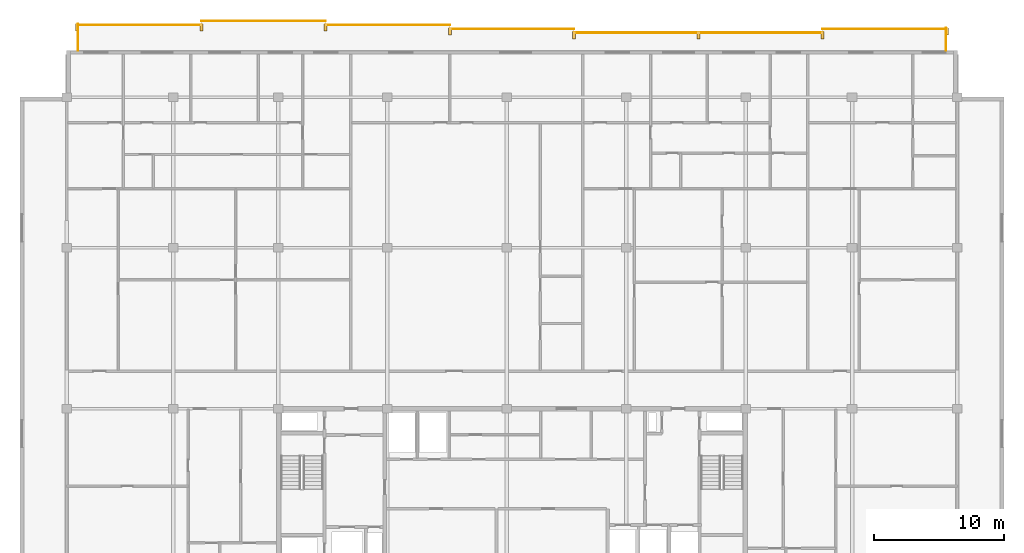
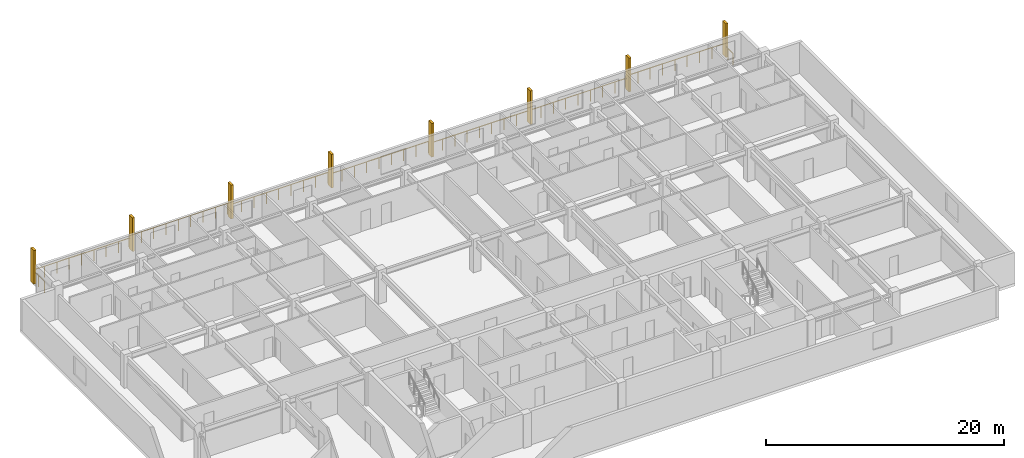
# One storey, part 10 of 10: 8 railings, 8 shading devices.
"""IFC4 building model written with IfcOpenShell, lengths in metres."""

from ifc_helpers import new_model, si_unit, direction, frame, origin, origin_2d, place, context, subcontext, project, spatial, rectangle, circle, extrude, material, type_object, element, save


model = new_model("IFC4")

# Units and contexts
model_context = context("Model", 3, precision=1e-05, world=origin(), true_north=direction((0.0, 1.0)))
body_context = subcontext(model_context, "Body", "Model", "MODEL_VIEW")
ifc_project = project(units=[si_unit("LENGTHUNIT", "METRE"), si_unit("AREAUNIT", "SQUARE_METRE"), si_unit("VOLUMEUNIT", "CUBIC_METRE"), si_unit("PLANEANGLEUNIT", "RADIAN"), si_unit("MASSUNIT", "GRAM", prefix="KILO")], contexts=[model_context])

# Site, building, storey
site_placement = place(None, origin())
site = spatial("IfcSite", under=ifc_project, at=site_placement, CompositionType="ELEMENT")
building_placement = place(site_placement, origin())
building = spatial("IfcBuilding", under=site, at=building_placement, Name="Korimba Cascade Residences", CompositionType="ELEMENT")
storey_placement = place(building_placement, frame((0.0, 0.0, 235.550048828125)))
storey = spatial("IfcBuildingStorey", under=building, at=storey_placement, Name="L68", CompositionType="ELEMENT", Elevation=235.550048828125)

# Railings
ifc_material_1 = material(Name="Laminated Glass and Bronze Balustrade", Category="glass")
railing_type = type_object("IfcRailingType", Name="RLG-LOG-1150", PredefinedType="BALUSTRADE", material=ifc_material_1)
railing_1_placement = place(storey_placement, frame((127.52001953125, 94.800048828125, 0.0)))
element("IfcRailing", 1, at=railing_1_placement, inside=storey, type_object=railing_type, Name="L68 Perimeter Guardrail RLG-L68-T1-LOG-01", PredefinedType="BALUSTRADE", context=body_context, shape_type="SweptSolid", body=[
    extrude(circle(Radius=0.02392578125, at=origin_2d()), frame((0.0, 0.0, 1.1259765625), z_axis=(0.0, 1.0, 0.0), x_axis=(-1.0, 0.0, 0.0)), (0.0, 0.0, 1.0), 1.75),
    extrude(circle(Radius=0.02099609375, at=origin_2d()), origin(), (0.0, 0.0, 1.0), 1.101806640625),
    extrude(circle(Radius=0.02099609375, at=origin_2d()), frame((0.0, 0.875, 0.0)), (0.0, 0.0, 1.0), 1.101806640625),
    extrude(circle(Radius=0.02099609375, at=origin_2d()), frame((0.0, 1.75, 0.0)), (0.0, 0.0, 1.0), 1.101806640625),
])
railing_2_placement = place(storey_placement, frame((127.60009765625, 96.469970703125, 0.0)))
element("IfcRailing", 2, at=railing_2_placement, inside=storey, type_object=railing_type, Name="L68 Perimeter Guardrail RLG-L68-T1-LOG-02", PredefinedType="BALUSTRADE", context=body_context, shape_type="SweptSolid", body=[
    extrude(circle(Radius=0.02392578125, at=origin_2d()), frame((0.0, 0.0, 1.1259765625), z_axis=(-1.0, 0.0, 0.0), x_axis=(0.0, -1.0, 0.0)), (0.0, 0.0, 1.0), 9.571533203125),
    extrude(circle(Radius=0.02099609375, at=origin_2d()), origin(), (0.0, 0.0, 1.0), 1.101806640625),
    extrude(circle(Radius=0.02099609375, at=origin_2d()), frame((-1.196533203125, 0.0, 0.0)), (0.0, 0.0, 1.0), 1.101806640625),
    extrude(circle(Radius=0.02099609375, at=origin_2d()), frame((-2.392822265625, 0.0, 0.0)), (0.0, 0.0, 1.0), 1.101806640625),
    extrude(circle(Radius=0.02099609375, at=origin_2d()), frame((-3.58935546875, 0.0, 0.0)), (0.0, 0.0, 1.0), 1.101806640625),
    extrude(circle(Radius=0.02099609375, at=origin_2d()), frame((-4.78564453125, 0.0, 0.0)), (0.0, 0.0, 1.0), 1.101806640625),
    extrude(circle(Radius=0.02099609375, at=origin_2d()), frame((-5.982177734375, 0.0, 0.0)), (0.0, 0.0, 1.0), 1.101806640625),
    extrude(circle(Radius=0.02099609375, at=origin_2d()), frame((-7.1787109375, 0.0, 0.0)), (0.0, 0.0, 1.0), 1.101806640625),
    extrude(circle(Radius=0.02099609375, at=origin_2d()), frame((-8.375, 0.0, 0.0)), (0.0, 0.0, 1.0), 1.101806640625),
    extrude(circle(Radius=0.02099609375, at=origin_2d()), frame((-9.571533203125, 0.0, 0.0)), (0.0, 0.0, 1.0), 1.101806640625),
])
railing_3_placement = place(storey_placement, frame((118.028564453125, 96.169921875, 0.0)))
element("IfcRailing", 3, at=railing_3_placement, inside=storey, type_object=railing_type, Name="L68 Perimeter Guardrail RLG-L68-T1-LOG-03", PredefinedType="BALUSTRADE", context=body_context, shape_type="SweptSolid", body=[
    extrude(circle(Radius=0.02392578125, at=origin_2d()), frame((0.0, 0.0, 1.1259765625), z_axis=(-1.0, 0.0, 0.0), x_axis=(0.0, -1.0, 0.0)), (0.0, 0.0, 1.0), 19.142822265625),
    extrude(circle(Radius=0.02099609375, at=origin_2d()), origin(), (0.0, 0.0, 1.0), 1.101806640625),
    extrude(circle(Radius=0.02099609375, at=origin_2d()), frame((-1.196533203125, 0.0, 0.0)), (0.0, 0.0, 1.0), 1.101806640625),
    extrude(circle(Radius=0.02099609375, at=origin_2d()), frame((-2.392822265625, 0.0, 0.0)), (0.0, 0.0, 1.0), 1.101806640625),
    extrude(circle(Radius=0.02099609375, at=origin_2d()), frame((-3.58935546875, 0.0, 0.0)), (0.0, 0.0, 1.0), 1.101806640625),
    extrude(circle(Radius=0.02099609375, at=origin_2d()), frame((-4.78564453125, 0.0, 0.0)), (0.0, 0.0, 1.0), 1.101806640625),
    extrude(circle(Radius=0.02099609375, at=origin_2d()), frame((-5.982177734375, 0.0, 0.0)), (0.0, 0.0, 1.0), 1.101806640625),
    extrude(circle(Radius=0.02099609375, at=origin_2d()), frame((-7.178466796875, 0.0, 0.0)), (0.0, 0.0, 1.0), 1.101806640625),
    extrude(circle(Radius=0.02099609375, at=origin_2d()), frame((-8.375, 0.0, 0.0)), (0.0, 0.0, 1.0), 1.101806640625),
    extrude(circle(Radius=0.02099609375, at=origin_2d()), frame((-9.5712890625, 0.0, 0.0)), (0.0, 0.0, 1.0), 1.101806640625),
    extrude(circle(Radius=0.02099609375, at=origin_2d()), frame((-10.767822265625, 0.0, 0.0)), (0.0, 0.0, 1.0), 1.101806640625),
    extrude(circle(Radius=0.02099609375, at=origin_2d()), frame((-11.96435546875, 0.0, 0.0)), (0.0, 0.0, 1.0), 1.101806640625),
    extrude(circle(Radius=0.02099609375, at=origin_2d()), frame((-13.16064453125, 0.0, 0.0)), (0.0, 0.0, 1.0), 1.101806640625),
    extrude(circle(Radius=0.02099609375, at=origin_2d()), frame((-14.357177734375, 0.0, 0.0)), (0.0, 0.0, 1.0), 1.101806640625),
    extrude(circle(Radius=0.02099609375, at=origin_2d()), frame((-15.553466796875, 0.0, 0.0)), (0.0, 0.0, 1.0), 1.101806640625),
    extrude(circle(Radius=0.02099609375, at=origin_2d()), frame((-16.75, 0.0, 0.0)), (0.0, 0.0, 1.0), 1.101806640625),
    extrude(circle(Radius=0.02099609375, at=origin_2d()), frame((-17.9462890625, 0.0, 0.0)), (0.0, 0.0, 1.0), 1.101806640625),
    extrude(circle(Radius=0.02099609375, at=origin_2d()), frame((-19.142822265625, 0.0, 0.0)), (0.0, 0.0, 1.0), 1.101806640625),
])
railing_4_placement = place(storey_placement, frame((98.8857421875, 96.469970703125, 0.0)))
element("IfcRailing", 4, at=railing_4_placement, inside=storey, type_object=railing_type, Name="L68 Perimeter Guardrail RLG-L68-T1-LOG-04", PredefinedType="BALUSTRADE", context=body_context, shape_type="SweptSolid", body=[
    extrude(circle(Radius=0.02392578125, at=origin_2d()), frame((0.0, 0.0, 1.1259765625), z_axis=(-1.0, 0.0, 0.0), x_axis=(0.0, -1.0, 0.0)), (0.0, 0.0, 1.0), 9.571533203125),
    extrude(circle(Radius=0.02099609375, at=origin_2d()), origin(), (0.0, 0.0, 1.0), 1.101806640625),
    extrude(circle(Radius=0.02099609375, at=origin_2d()), frame((-1.196533203125, 0.0, 0.0)), (0.0, 0.0, 1.0), 1.101806640625),
    extrude(circle(Radius=0.02099609375, at=origin_2d()), frame((-2.392822265625, 0.0, 0.0)), (0.0, 0.0, 1.0), 1.101806640625),
    extrude(circle(Radius=0.02099609375, at=origin_2d()), frame((-3.58935546875, 0.0, 0.0)), (0.0, 0.0, 1.0), 1.101806640625),
    extrude(circle(Radius=0.02099609375, at=origin_2d()), frame((-4.78564453125, 0.0, 0.0)), (0.0, 0.0, 1.0), 1.101806640625),
    extrude(circle(Radius=0.02099609375, at=origin_2d()), frame((-5.982177734375, 0.0, 0.0)), (0.0, 0.0, 1.0), 1.101806640625),
    extrude(circle(Radius=0.02099609375, at=origin_2d()), frame((-7.1787109375, 0.0, 0.0)), (0.0, 0.0, 1.0), 1.101806640625),
    extrude(circle(Radius=0.02099609375, at=origin_2d()), frame((-8.375, 0.0, 0.0)), (0.0, 0.0, 1.0), 1.101806640625),
    extrude(circle(Radius=0.02099609375, at=origin_2d()), frame((-9.571533203125, 0.0, 0.0)), (0.0, 0.0, 1.0), 1.101806640625),
])
railing_5_placement = place(storey_placement, frame((89.314208984375, 96.77001953125, 0.0)))
element("IfcRailing", 5, at=railing_5_placement, inside=storey, type_object=railing_type, Name="L68 Perimeter Guardrail RLG-L68-T1-LOG-05", PredefinedType="BALUSTRADE", context=body_context, shape_type="SweptSolid", body=[
    extrude(circle(Radius=0.02392578125, at=origin_2d()), frame((0.0, 0.0, 1.1259765625), z_axis=(-1.0, 0.0, 0.0), x_axis=(0.0, -1.0, 0.0)), (0.0, 0.0, 1.0), 9.5712890625),
    extrude(circle(Radius=0.02099609375, at=origin_2d()), origin(), (0.0, 0.0, 1.0), 1.101806640625),
    extrude(circle(Radius=0.02099609375, at=origin_2d()), frame((-1.1962890625, 0.0, 0.0)), (0.0, 0.0, 1.0), 1.101806640625),
    extrude(circle(Radius=0.02099609375, at=origin_2d()), frame((-2.392822265625, 0.0, 0.0)), (0.0, 0.0, 1.0), 1.101806640625),
    extrude(circle(Radius=0.02099609375, at=origin_2d()), frame((-3.58935546875, 0.0, 0.0)), (0.0, 0.0, 1.0), 1.101806640625),
    extrude(circle(Radius=0.02099609375, at=origin_2d()), frame((-4.78564453125, 0.0, 0.0)), (0.0, 0.0, 1.0), 1.101806640625),
    extrude(circle(Radius=0.02099609375, at=origin_2d()), frame((-5.98193359375, 0.0, 0.0)), (0.0, 0.0, 1.0), 1.101806640625),
    extrude(circle(Radius=0.02099609375, at=origin_2d()), frame((-7.178466796875, 0.0, 0.0)), (0.0, 0.0, 1.0), 1.101806640625),
    extrude(circle(Radius=0.02099609375, at=origin_2d()), frame((-8.375, 0.0, 0.0)), (0.0, 0.0, 1.0), 1.101806640625),
    extrude(circle(Radius=0.02099609375, at=origin_2d()), frame((-9.5712890625, 0.0, 0.0)), (0.0, 0.0, 1.0), 1.101806640625),
])
railing_6_placement = place(storey_placement, frame((79.742919921875, 97.070068359375, 0.0)))
element("IfcRailing", 6, at=railing_6_placement, inside=storey, type_object=railing_type, Name="L68 Perimeter Guardrail RLG-L68-T1-LOG-06", PredefinedType="BALUSTRADE", context=body_context, shape_type="SweptSolid", body=[
    extrude(circle(Radius=0.02392578125, at=origin_2d()), frame((0.0, 0.0, 1.1259765625), z_axis=(-1.0, 0.0, 0.0), x_axis=(0.0, -1.0, 0.0)), (0.0, 0.0, 1.0), 9.571533203125),
    extrude(circle(Radius=0.02099609375, at=origin_2d()), origin(), (0.0, 0.0, 1.0), 1.101806640625),
    extrude(circle(Radius=0.02099609375, at=origin_2d()), frame((-1.196533203125, 0.0, 0.0)), (0.0, 0.0, 1.0), 1.101806640625),
    extrude(circle(Radius=0.02099609375, at=origin_2d()), frame((-2.392822265625, 0.0, 0.0)), (0.0, 0.0, 1.0), 1.101806640625),
    extrude(circle(Radius=0.02099609375, at=origin_2d()), frame((-3.58935546875, 0.0, 0.0)), (0.0, 0.0, 1.0), 1.101806640625),
    extrude(circle(Radius=0.02099609375, at=origin_2d()), frame((-4.78564453125, 0.0, 0.0)), (0.0, 0.0, 1.0), 1.101806640625),
    extrude(circle(Radius=0.02099609375, at=origin_2d()), frame((-5.982177734375, 0.0, 0.0)), (0.0, 0.0, 1.0), 1.101806640625),
    extrude(circle(Radius=0.02099609375, at=origin_2d()), frame((-7.1787109375, 0.0, 0.0)), (0.0, 0.0, 1.0), 1.101806640625),
    extrude(circle(Radius=0.02099609375, at=origin_2d()), frame((-8.375, 0.0, 0.0)), (0.0, 0.0, 1.0), 1.101806640625),
    extrude(circle(Radius=0.02099609375, at=origin_2d()), frame((-9.571533203125, 0.0, 0.0)), (0.0, 0.0, 1.0), 1.101806640625),
])
railing_7_placement = place(storey_placement, frame((70.17138671875, 96.77001953125, 0.0)))
element("IfcRailing", 7, at=railing_7_placement, inside=storey, type_object=railing_type, Name="L68 Perimeter Guardrail RLG-L68-T1-LOG-07", PredefinedType="BALUSTRADE", context=body_context, shape_type="SweptSolid", body=[
    extrude(circle(Radius=0.02392578125, at=origin_2d()), frame((0.0, 0.0, 1.1259765625), z_axis=(-1.0, 0.0, 0.0), x_axis=(0.0, -1.0, 0.0)), (0.0, 0.0, 1.0), 9.5712890625),
    extrude(circle(Radius=0.02099609375, at=origin_2d()), origin(), (0.0, 0.0, 1.0), 1.101806640625),
    extrude(circle(Radius=0.02099609375, at=origin_2d()), frame((-1.1962890625, 0.0, 0.0)), (0.0, 0.0, 1.0), 1.101806640625),
    extrude(circle(Radius=0.02099609375, at=origin_2d()), frame((-2.392822265625, 0.0, 0.0)), (0.0, 0.0, 1.0), 1.101806640625),
    extrude(circle(Radius=0.02099609375, at=origin_2d()), frame((-3.58935546875, 0.0, 0.0)), (0.0, 0.0, 1.0), 1.101806640625),
    extrude(circle(Radius=0.02099609375, at=origin_2d()), frame((-4.78564453125, 0.0, 0.0)), (0.0, 0.0, 1.0), 1.101806640625),
    extrude(circle(Radius=0.02099609375, at=origin_2d()), frame((-5.98193359375, 0.0, 0.0)), (0.0, 0.0, 1.0), 1.101806640625),
    extrude(circle(Radius=0.02099609375, at=origin_2d()), frame((-7.178466796875, 0.0, 0.0)), (0.0, 0.0, 1.0), 1.101806640625),
    extrude(circle(Radius=0.02099609375, at=origin_2d()), frame((-8.375, 0.0, 0.0)), (0.0, 0.0, 1.0), 1.101806640625),
    extrude(circle(Radius=0.02099609375, at=origin_2d()), frame((-9.5712890625, 0.0, 0.0)), (0.0, 0.0, 1.0), 1.101806640625),
])
railing_8_placement = place(storey_placement, frame((60.679931640625, 96.85009765625, 0.0)))
element("IfcRailing", 8, at=railing_8_placement, inside=storey, type_object=railing_type, Name="L68 Perimeter Guardrail RLG-L68-T1-LOG-08", PredefinedType="BALUSTRADE", context=body_context, shape_type="SweptSolid", body=[
    extrude(circle(Radius=0.02392578125, at=origin_2d()), frame((0.0, 0.0, 1.1259765625), z_axis=(0.0, -1.0, 0.0), x_axis=(1.0, 0.0, 0.0)), (0.0, 0.0, 1.0), 2.050048828125),
    extrude(circle(Radius=0.02099609375, at=origin_2d()), origin(), (0.0, 0.0, 1.0), 1.101806640625),
    extrude(circle(Radius=0.02099609375, at=origin_2d()), frame((0.0, -1.02490234375, 0.0)), (0.0, 0.0, 1.0), 1.101806640625),
    extrude(circle(Radius=0.02099609375, at=origin_2d()), frame((0.0, -2.050048828125, 0.0)), (0.0, 0.0, 1.0), 1.101806640625),
])

# Shading devices
ifc_material_2 = material(Name="Honed Sandstone Precast Fin", Category="masonry")
shading_device_type = type_object("IfcShadingDeviceType", Name="SHD-FIN-550", PredefinedType="USERDEFINED", material=ifc_material_2)
for number, where, z_axis, x_axis, name in (
    (9, (60.60009765625, 96.574951171875, 0.0), (0.0, 0.0, 1.0), (1.0, 0.0, 0.0), "L68 T1 Warm-Stone Loggia Fin 1"),
    (10, (70.17138671875, 96.574951171875, 0.0), (0.0, 0.0, 1.0), (1.0, 0.0, 0.0), "L68 T1 Warm-Stone Loggia Fin 2"),
    (11, (79.742919921875, 96.574951171875, 0.0), (0.0, 0.0, 1.0), (1.0, 0.0, 0.0), "L68 T1 Warm-Stone Loggia Fin 3"),
    (12, (89.314208984375, 96.27490234375, 0.0), (0.0, 0.0, 1.0), (1.0, 0.0, 0.0), "L68 T1 Warm-Stone Loggia Fin 4"),
    (13, (98.8857421875, 95.97509765625, 0.0), (0.0, 0.0, 1.0), (1.0, 0.0, 0.0), "L68 T1 Warm-Stone Loggia Fin 5"),
    (14, (108.45703125, 95.97509765625, 0.0), (0.0, 0.0, 1.0), (1.0, 0.0, 0.0), "L68 T1 Warm-Stone Loggia Fin 6"),
    (15, (118.028564453125, 95.97509765625, 0.0), (0.0, 0.0, 1.0), (1.0, 0.0, 0.0), "L68 T1 Warm-Stone Loggia Fin 7"),
    (16, (127.60009765625, 96.27490234375, 0.0), (0.0, 0.0, 1.0), (1.0, 0.0, 0.0), "L68 T1 Warm-Stone Loggia Fin 8"),
):
    element("IfcShadingDevice", number, at=place(storey_placement, frame(where, z_axis=z_axis, x_axis=x_axis)), inside=storey, type_object=shading_device_type, Name=name, ObjectType="FIN", PredefinedType="USERDEFINED", context=body_context, shape_type="SweptSolid", body=[
        extrude(rectangle(XDim=0.219970703125, YDim=0.550048828125, at=origin_2d()), origin(), (0.0, 0.0, 1.0), 3.449951171875),
    ])

save(model, "model.ifc")
